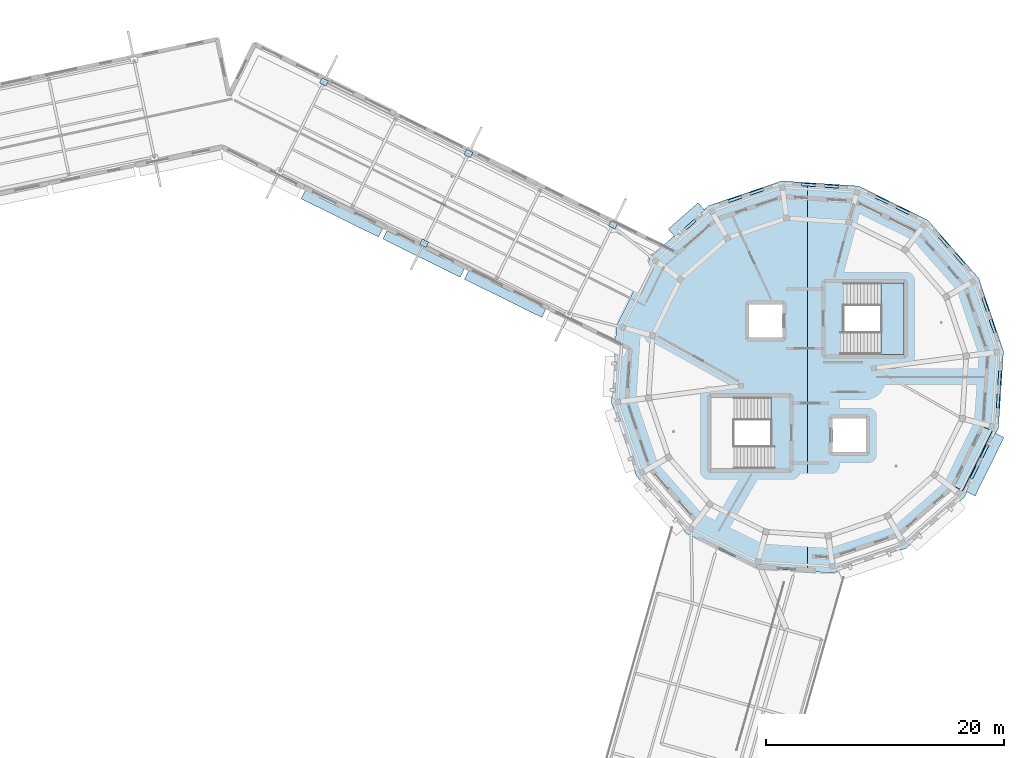
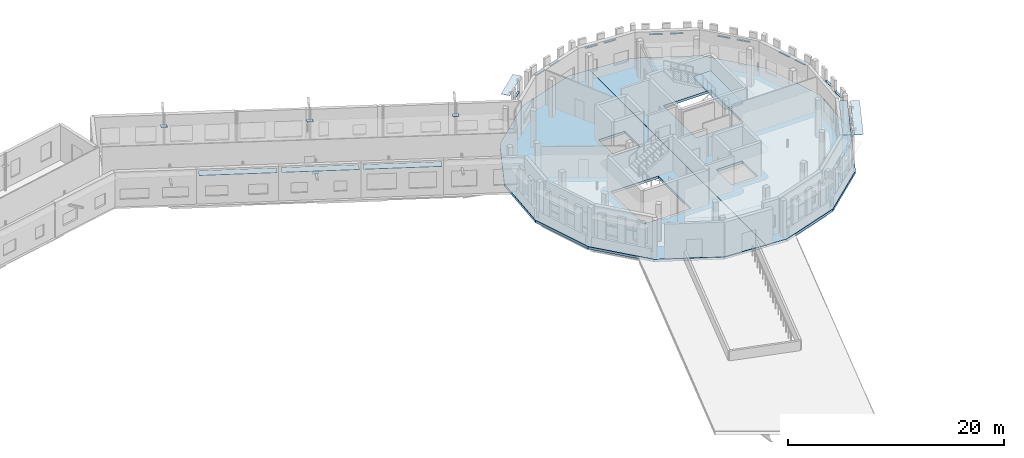
# One storey, part 28 of 68: 25 plates, 3 slabs, 1 element without a shape of its own.
"""IFC4 building model written with IfcOpenShell, lengths in metres."""

import ifcopenshell
import ifcopenshell.guid

model = None  # the IFC model being written
_history = None  # IfcOwnerHistory: only IFC2X3 demands one
_inside = {}  # id of a spatial element -> (the spatial element, [elements in it])
_under = {}  # id of a project, library or spatial element -> (it, [spatial elements below it])
_declared = {}  # id of a project -> (the project, [libraries it declares])
_typed = {}  # id of a type object -> (the type object, [elements of that type])
_made_of = {}  # id of a material, layer set ... -> (it, [elements and type objects made of it])


def new_model(schema):
    """Start an empty IFC model of exactly this schema.

    Asked for "IFC4X3", IfcOpenShell would pick the latest addendum, in which some entities
    have other attributes; the version numbers below select the first issue.
    IFC2X3 requires an IfcOwnerHistory on every rooted entity: one is made here for all.
    """
    global model, _history
    if schema == "IFC4X3":
        model = ifcopenshell.file(schema_version=(4, 3, 0, 0))
    else:
        model = ifcopenshell.file(schema=schema)
    _inside.clear()
    _under.clear()
    _declared.clear()
    _typed.clear()
    _made_of.clear()
    _history = None
    if model.schema == "IFC2X3":
        org = make("IfcOrganization", Name="unknown")
        user = make(
            "IfcPersonAndOrganization",
            ThePerson=make("IfcPerson", FamilyName="unknown"),
            TheOrganization=org,
        )
        app = make(
            "IfcApplication",
            ApplicationDeveloper=org,
            Version="unknown",
            ApplicationFullName="unknown",
            ApplicationIdentifier="unknown",
        )
        _history = make(
            "IfcOwnerHistory",
            OwningUser=user,
            OwningApplication=app,
            ChangeAction="ADDED",
            CreationDate=0,
        )
    return model


def make(cls, **values):
    """One entity of the class cls with the attributes given. An attribute that is None is left unset."""
    return model.create_entity(
        cls, **{name: value for name, value in values.items() if value is not None}
    )


def rooted(cls, **values):
    """An entity with a GlobalId (a new one), such as an element, a storey or a relation."""
    return make(cls, GlobalId=ifcopenshell.guid.new(), OwnerHistory=_history, **values)


def si_unit(unit_type, name, prefix=None):
    """IfcSIUnit, for example si_unit("LENGTHUNIT", "METRE", prefix="MILLI")."""
    return make("IfcSIUnit", UnitType=unit_type, Prefix=prefix, Name=name)


def assignment(units):
    """IfcUnitAssignment: the units of a project."""
    return None if units is None else make("IfcUnitAssignment", Units=units)


def point(xyz):
    """IfcCartesianPoint."""
    return None if xyz is None else make("IfcCartesianPoint", Coordinates=xyz)


def direction(xyz):
    """IfcDirection."""
    return None if xyz is None else make("IfcDirection", DirectionRatios=xyz)


def frame(location, z_axis=None, x_axis=None):
    """IfcAxis2Placement3D, a coordinate frame: its origin and axes. An axis left out is left unset."""
    return make(
        "IfcAxis2Placement3D",
        Location=point(location),
        Axis=direction(z_axis),
        RefDirection=direction(x_axis),
    )


def frame_2d(location, x_axis=None):
    """IfcAxis2Placement2D, a coordinate frame in the plane: its origin and x axis."""
    return make(
        "IfcAxis2Placement2D", Location=point(location), RefDirection=direction(x_axis)
    )


def origin():
    """The frame at (0, 0, 0) with its axes left unset."""
    return frame((0.0, 0.0, 0.0))


def origin_2d():
    """The frame at (0, 0) in the plane with its x axis left unset."""
    return frame_2d((0.0, 0.0))


def place(relative_to, where):
    """IfcLocalPlacement: puts the frame where relative to a parent placement (None: the world)."""
    return make(
        "IfcLocalPlacement", PlacementRelTo=relative_to, RelativePlacement=where
    )


def context(
    kind, dimensions, precision=None, world=None, true_north=None, identifier=None
):
    """IfcGeometricRepresentationContext, for example the 3D "Model" context."""
    return make(
        "IfcGeometricRepresentationContext",
        ContextIdentifier=identifier,
        ContextType=kind,
        CoordinateSpaceDimension=dimensions,
        Precision=precision,
        WorldCoordinateSystem=world,
        TrueNorth=true_north,
    )


def subcontext(parent, identifier, kind, view, scale=None):
    """IfcGeometricRepresentationSubContext, for example "Body" below "Model"."""
    return make(
        "IfcGeometricRepresentationSubContext",
        ContextIdentifier=identifier,
        ContextType=kind,
        ParentContext=parent,
        TargetScale=scale,
        TargetView=view,
    )


def project(units=None, contexts=None):
    """IfcProject with its units and contexts."""
    return rooted(
        "IfcProject",
        Name="project",
        RepresentationContexts=contexts,
        UnitsInContext=assignment(units),
    )


def spatial(cls, under=None, at=None, **own):
    """A site, building, storey or space (cls), placed at a placement, below another one or the project."""
    s = rooted(cls, ObjectPlacement=at, **own)
    if under is not None:
        _under.setdefault(under.id(), (under, []))[1].append(s)
    return s


def polyline(points):
    """IfcPolyline through the points."""
    return make("IfcPolyline", Points=[point(p) for p in points])


def profile(cls, at=None, kind="AREA", **sizes):
    """A parametric profile (cls). Its sizes go by their IFC names, for example OverallWidth=200.0."""
    return make(cls, ProfileType=kind, Position=at, **sizes)


def rectangle(**sizes):
    """IfcRectangleProfileDef."""
    return profile("IfcRectangleProfileDef", **sizes)


def outline(outer, holes=None, kind="AREA"):
    """IfcArbitraryClosedProfileDef: a profile drawn as a closed curve; with holes, ...WithVoids."""
    if holes is None:
        return make("IfcArbitraryClosedProfileDef", ProfileType=kind, OuterCurve=outer)
    return make(
        "IfcArbitraryProfileDefWithVoids",
        ProfileType=kind,
        OuterCurve=outer,
        InnerCurves=holes,
    )


def extrude(swept, where, along, depth):
    """IfcExtrudedAreaSolid: the profile swept, set in the frame where, extruded along a direction by depth."""
    return make(
        "IfcExtrudedAreaSolid",
        SweptArea=swept,
        Position=where,
        ExtrudedDirection=direction(along),
        Depth=depth,
    )


def shape(context_of_items, identifier, shape_type, items):
    """IfcShapeRepresentation: the items that make up one representation, for example the "Body"."""
    return make(
        "IfcShapeRepresentation",
        ContextOfItems=context_of_items,
        RepresentationIdentifier=identifier,
        RepresentationType=shape_type,
        Items=items,
    )


def material(Name=None, Category=None):
    """IfcMaterial."""
    return make("IfcMaterial", Name=Name, Category=Category)


def layer(
    of_material, thickness, ventilated=None, Name=None, Category=None, Priority=None
):
    """IfcMaterialLayer: one layer of a wall or slab, of a material (None: an air gap)."""
    return make(
        "IfcMaterialLayer",
        Material=of_material,
        LayerThickness=thickness,
        IsVentilated=ventilated,
        Name=Name,
        Category=Category,
        Priority=Priority,
    )


def layer_set(layers, Name=None):
    """IfcMaterialLayerSet."""
    return make("IfcMaterialLayerSet", MaterialLayers=layers, LayerSetName=Name)


def made_of(thing, what):
    """Note that an element or type object is made of a material, layer set ...; save() writes the relation."""
    if what is not None:
        _made_of.setdefault(what.id(), (what, []))[1].append(thing)
    return thing


def type_object(cls, material=None, **own):
    """A type object (cls), such as IfcWallType, which elements share."""
    return made_of(rooted(cls, **own), material)


def element(
    cls,
    number,
    at=None,
    inside=None,
    cuts=None,
    type_object=None,
    material=None,
    context=None,
    identifier="Body",
    shape_type=None,
    held_by="IfcProductDefinitionShape",
    body=None,
    shapes=None,
    **own,
):
    """One element of the class cls, such as IfcWall. Its Tag is "e" and its number.

    at: its placement. inside: the storey or other place that contains it. cuts: it is an
    opening in that element (IfcRelVoidsElement). A single representation is given by context,
    identifier, shape_type and body (its items); several are given by shapes. held_by: the class
    of the entity that holds the representations. save() writes the other relations.
    """
    e = rooted(cls, Tag="e%d" % number, ObjectPlacement=at, **own)
    if body is not None:
        shapes = [shape(context, identifier, shape_type, body)]
    if shapes is not None:
        e.Representation = make(held_by, Representations=shapes)
    if inside is not None:
        _inside.setdefault(inside.id(), (inside, []))[1].append(e)
    if cuts is not None:
        rooted(
            "IfcRelVoidsElement", RelatingBuildingElement=cuts, RelatedOpeningElement=e
        )
    if type_object is not None:
        _typed.setdefault(type_object.id(), (type_object, []))[1].append(e)
    return made_of(e, material)


def aggregate(whole, parts):
    """IfcRelAggregates: a whole, such as a stair, and the parts it consists of."""
    return rooted("IfcRelAggregates", RelatingObject=whole, RelatedObjects=parts)


def save(model, path):
    """Write the relations noted so far, then the file.

    IfcRelAggregates (storeys below a building ...), IfcRelContainedInSpatialStructure (elements
    in a storey), IfcRelDefinesByType, IfcRelAssociatesMaterial and IfcRelDeclares: one each for
    every whole, place, type object, material and project.
    """
    for whole, parts in _under.values():
        aggregate(whole, parts)
    for where, things in _inside.values():
        rooted(
            "IfcRelContainedInSpatialStructure",
            RelatedElements=things,
            RelatingStructure=where,
        )
    for kind, things in _typed.values():
        rooted("IfcRelDefinesByType", RelatedObjects=things, RelatingType=kind)
    for what, things in _made_of.values():
        rooted("IfcRelAssociatesMaterial", RelatedObjects=things, RelatingMaterial=what)
    for by, libraries in _declared.values():
        rooted("IfcRelDeclares", RelatingContext=by, RelatedDefinitions=libraries)
    model.write(path)


model = new_model("IFC4")

# Units and contexts
model_context = context("Model", 3, precision=1e-05, world=origin(), true_north=direction((0.0, 1.0)))
body_context = subcontext(model_context, "Body", "Model", "MODEL_VIEW")
ifc_project = project(units=[si_unit("LENGTHUNIT", "METRE"), si_unit("AREAUNIT", "SQUARE_METRE"), si_unit("VOLUMEUNIT", "CUBIC_METRE"), si_unit("PLANEANGLEUNIT", "RADIAN"), si_unit("MASSUNIT", "GRAM", prefix="KILO")], contexts=[model_context])

# Site, building, storey
site_placement = place(None, origin())
site = spatial("IfcSite", under=ifc_project, at=site_placement, CompositionType="ELEMENT")
building_placement = place(site_placement, origin())
building = spatial("IfcBuilding", under=site, at=building_placement, Name="Wrenclough Park School", CompositionType="ELEMENT")
storey_placement = place(building_placement, frame((0.0, 0.0, 12.60009765625)))
storey = spatial("IfcBuildingStorey", under=building, at=storey_placement, Name="L03", CompositionType="ELEMENT", Elevation=12.60009765625)

# Plates
ifc_material_1 = material(Name="Anodised architectural aluminium solar shading fin plate", Category="aluminium")
ifc_layer_1 = layer(ifc_material_1, 0.0380859375)
ifc_layer_set_1 = layer_set([ifc_layer_1], Name="Anodised architectural aluminium solar shading fin plate")
plate_type_1 = type_object("IfcPlateType", Name="ENV-PL-BSF", PredefinedType="SHEET", material=ifc_layer_set_1)
for number, where, z_axis, x_axis, name in (
    (1, (190.056396484375, 97.762939453125, 2.721923828125), (0.0, 0.0, 1.0), (-0.321426781293, 0.946934435041, 0.0), "D5 L03 open-bond brick screen tie band 0629"),
    (2, (189.436767578125, 99.588134765625, 2.721923828125), (0.0, 0.0, 1.0), (-0.321426781293, 0.946934435041, 0.0), "D5 L03 open-bond brick screen tie band 0630"),
):
    element("IfcPlate", number, at=place(storey_placement, frame(where, z_axis=z_axis, x_axis=x_axis)), inside=storey, type_object=plate_type_1, Name=name, PredefinedType="SHEET", context=body_context, shape_type="SweptSolid", body=[
        extrude(rectangle(XDim=1.217529296875, YDim=0.219970703125, at=origin_2d()), origin(), (0.0, 0.0, 1.0), 0.0419921875),
    ])
for number, where, z_axis, x_axis, name in (
    (3, (187.240966796875, 103.391357421875, 2.721923828125), (0.0, 0.0, 1.0), (-0.659346589381, 0.751839128452, 0.0), "D5 L03 open-bond brick screen tie band 0631"),
    (4, (185.97021484375, 104.840576171875, 2.721923828125), (0.0, 0.0, 1.0), (-0.659346589381, 0.751839128452, 0.0), "D5 L03 open-bond brick screen tie band 0632"),
):
    element("IfcPlate", number, at=place(storey_placement, frame(where, z_axis=z_axis, x_axis=x_axis)), inside=storey, type_object=plate_type_1, Name=name, PredefinedType="SHEET", context=body_context, shape_type="SweptSolid", body=[
        extrude(rectangle(XDim=1.21728515625, YDim=0.219970703125, at=origin_2d()), origin(), (0.0, 0.0, 1.0), 0.0419921875),
    ])
for number, where, z_axis, x_axis, name in (
    (5, (182.486083984375, 107.514404296875, 2.721923828125), (0.0, 0.0, 1.0), (-0.896872655932, 0.442288863799, 0.0), "D5 L03 open-bond brick screen tie band 0633"),
    (6, (180.757080078125, 108.36669921875, 2.721923828125), (0.0, 0.0, 1.0), (-0.896872655932, 0.442288863799, 0.0), "D5 L03 open-bond brick screen tie band 0634"),
):
    element("IfcPlate", number, at=place(storey_placement, frame(where, z_axis=z_axis, x_axis=x_axis)), inside=storey, type_object=plate_type_1, Name=name, PredefinedType="SHEET", context=body_context, shape_type="SweptSolid", body=[
        extrude(rectangle(XDim=1.217529296875, YDim=0.219970703125, at=origin_2d()), origin(), (0.0, 0.0, 1.0), 0.0419921875),
    ])
for number, where, z_axis, x_axis, name in (
    (7, (176.5146484375, 109.503662109375, 2.721923828125), (0.0, 0.0, 1.0), (-0.997858762746, 0.065405577822, 0.0), "D5 L03 open-bond brick screen tie band 0635"),
    (8, (174.59130859375, 109.629638671875, 2.721923828125), (0.0, 0.0, 1.0), (-0.997858762746, 0.065405577822, 0.0), "D5 L03 open-bond brick screen tie band 0636"),
):
    element("IfcPlate", number, at=place(storey_placement, frame(where, z_axis=z_axis, x_axis=x_axis)), inside=storey, type_object=plate_type_1, Name=name, PredefinedType="SHEET", context=body_context, shape_type="SweptSolid", body=[
        extrude(rectangle(XDim=1.21728515625, YDim=0.219970703125, at=origin_2d()), origin(), (0.0, 0.0, 1.0), 0.0419921875),
    ])
for number, where, z_axis, x_axis, name in (
    (9, (170.237060546875, 109.056396484375, 2.721923828125), (0.0, 0.0, 1.0), (-0.946934435041, -0.321426781293, 0.0), "D5 L03 open-bond brick screen tie band 0637"),
    (10, (168.411865234375, 108.436767578125, 2.721923828125), (0.0, 0.0, 1.0), (-0.946934435041, -0.321426781293, 0.0), "D5 L03 open-bond brick screen tie band 0638"),
):
    element("IfcPlate", number, at=place(storey_placement, frame(where, z_axis=z_axis, x_axis=x_axis)), inside=storey, type_object=plate_type_1, Name=name, PredefinedType="SHEET", context=body_context, shape_type="SweptSolid", body=[
        extrude(rectangle(XDim=1.217529296875, YDim=0.219970703125, at=origin_2d()), origin(), (0.0, 0.0, 1.0), 0.0419921875),
    ])
plate_1_placement = place(storey_placement, frame((164.689697265625, 106.31201171875, 2.721923828125), z_axis=(0.0, 0.0, 1.0), x_axis=(-0.751840843142, -0.659344634151, 0.0)))
element("IfcPlate", 11, at=plate_1_placement, inside=storey, type_object=plate_type_1, Name="D5 L03 open-bond brick screen tie band 0639", PredefinedType="SHEET", context=body_context, shape_type="SweptSolid", body=[
    extrude(rectangle(XDim=1.109619140625, YDim=0.219970703125, at=origin_2d()), origin(), (0.0, 0.0, 1.0), 0.0419921875),
])
plate_2_placement = place(storey_placement, frame((164.348388671875, 106.701171875, 3.700927734375), z_axis=(0.0, 0.0, 1.0), x_axis=(-0.751840843142, -0.659344634151, 0.0)))
element("IfcPlate", 12, at=plate_2_placement, inside=storey, type_object=plate_type_1, Name="D5 L03 sun-side projecting brise-soleil blade 0112", PredefinedType="SHEET", context=body_context, shape_type="SweptSolid", body=[
    extrude(rectangle(XDim=3.339111328125, YDim=0.85009765625, at=origin_2d()), origin(), (0.0, 0.0, 1.0), 0.0380859375),
])
for number, where, z_axis, x_axis, name in (
    (13, (188.514404296875, 85.513916015625, 2.721923828125), (0.0, 0.0, 1.0), (0.442288863799, 0.896872655932, 0.0), "D5 L03 open-bond brick screen tie band 0649"),
    (14, (189.36669921875, 87.242919921875, 2.721923828125), (0.0, 0.0, 1.0), (0.442288863799, 0.896872655932, 0.0), "D5 L03 open-bond brick screen tie band 0650"),
):
    element("IfcPlate", number, at=place(storey_placement, frame(where, z_axis=z_axis, x_axis=x_axis)), inside=storey, type_object=plate_type_1, Name=name, PredefinedType="SHEET", context=body_context, shape_type="SweptSolid", body=[
        extrude(rectangle(XDim=1.217529296875, YDim=0.219970703125, at=origin_2d()), origin(), (0.0, 0.0, 1.0), 0.0419921875),
    ])
plate_3_placement = place(storey_placement, frame((189.40478515625, 86.149658203125, 3.700927734375), z_axis=(0.0, 0.0, 1.0), x_axis=(0.442288863799, 0.896872655932, 0.0)))
element("IfcPlate", 15, at=plate_3_placement, inside=storey, type_object=plate_type_1, Name="D5 L03 sun-side projecting brise-soleil blade 0118", PredefinedType="SHEET", context=body_context, shape_type="SweptSolid", body=[
    extrude(rectangle(XDim=5.48291015625, YDim=0.85009765625, at=origin_2d()), origin(), (0.0, 0.0, 1.0), 0.0380859375),
])
for number, where, z_axis, x_axis, name in (
    (16, (190.50341796875, 91.4853515625, 2.721923828125), (0.0, 0.0, 1.0), (0.065405577822, 0.997858762746, 0.0), "D5 L03 open-bond brick screen tie band 0651"),
    (17, (190.629638671875, 93.40869140625, 2.721923828125), (0.0, 0.0, 1.0), (0.065405577822, 0.997858762746, 0.0), "D5 L03 open-bond brick screen tie band 0652"),
):
    element("IfcPlate", number, at=place(storey_placement, frame(where, z_axis=z_axis, x_axis=x_axis)), inside=storey, type_object=plate_type_1, Name=name, PredefinedType="SHEET", context=body_context, shape_type="SweptSolid", body=[
        extrude(rectangle(XDim=1.21728515625, YDim=0.219970703125, at=origin_2d()), origin(), (0.0, 0.0, 1.0), 0.0419921875),
    ])
plate_4_placement = place(storey_placement, frame((149.131103515625, 100.461181640625, 3.720947265625), z_axis=(0.0, 0.0, 1.0), x_axis=(-0.89626516888, 0.443518598316, 0.0)))
element("IfcPlate", 18, at=plate_4_placement, inside=storey, type_object=plate_type_1, Name="L03 link wing sun-side brise-soleil blade 0208", PredefinedType="SHEET", context=body_context, shape_type="SweptSolid", body=[
    extrude(rectangle(XDim=7.23974609375, YDim=0.800048828125, at=origin_2d()), origin(), (0.0, 0.0, 1.0), 0.0380859375),
])
plate_5_placement = place(storey_placement, frame((142.278076171875, 103.83837890625, 3.720947265625), z_axis=(0.0, 0.0, 1.0), x_axis=(-0.896272946619, 0.443502880666, 0.0)))
element("IfcPlate", 19, at=plate_5_placement, inside=storey, type_object=plate_type_1, Name="L03 link wing sun-side brise-soleil blade 0209", PredefinedType="SHEET", context=body_context, shape_type="SweptSolid", body=[
    extrude(rectangle(XDim=7.239990234375, YDim=0.800048828125, at=origin_2d()), origin(), (0.0, 0.0, 1.0), 0.0380859375),
])
plate_6_placement = place(storey_placement, frame((135.424072265625, 107.213134765625, 3.720947265625), z_axis=(0.0, 0.0, 1.0), x_axis=(-0.89626516888, 0.443518598316, 0.0)))
element("IfcPlate", 20, at=plate_6_placement, inside=storey, type_object=plate_type_1, Name="L03 link wing sun-side brise-soleil blade 0210", PredefinedType="SHEET", context=body_context, shape_type="SweptSolid", body=[
    extrude(rectangle(XDim=7.23974609375, YDim=0.800048828125, at=origin_2d()), origin(), (0.0, 0.0, 1.0), 0.0380859375),
])
plate_7_placement = place(storey_placement, frame((188.41650390625, 86.63720703125, 3.720947265625), z_axis=(0.0, 0.0, 1.0), x_axis=(-0.442308565335, -0.896862939936, 0.0)))
element("IfcPlate", 21, at=plate_7_placement, inside=storey, type_object=plate_type_1, Name="L03 link wing sun-side brise-soleil blade 0222", PredefinedType="SHEET", context=body_context, shape_type="SweptSolid", body=[
    extrude(rectangle(XDim=5.561279296875, YDim=0.800048828125, at=origin_2d()), origin(), (0.0, 0.0, 1.0), 0.0380859375),
])

# Stair, slab
ifc_material_2 = material(Name="Precast concrete C40/50", Category="concrete")
stair_type = type_object("IfcStairType", Name="INT-ST-190-42", PredefinedType="HALF_TURN_STAIR", material=ifc_material_2)
stair_placement = place(storey_placement, origin())
stair = element("IfcStair", 22, at=stair_placement, inside=storey, type_object=stair_type, Name="L03 escape stair ST-06", PredefinedType="HALF_TURN_STAIR")
ifc_layer_2 = layer(ifc_material_2, 0.195068359375)
ifc_layer_set_2 = layer_set([ifc_layer_2], Name="Precast concrete C40/50")
slab_type_1 = type_object("IfcSlabType", Name="INT-SL-LAND195", PredefinedType="LANDING", material=ifc_layer_set_2)
slab_1_placement = place(storey_placement, frame((0.0, 0.0, 1.989013671875)))
slab_1 = element("IfcSlab", 23, at=slab_1_placement, type_object=slab_type_1, Name="ST-06 landing 1", PredefinedType="LANDING", context=body_context, shape_type="SweptSolid", body=[
    extrude(outline(polyline([(180.677001953125, 95.39990234375), (182.60009765625, 95.39990234375), (182.60009765625, 101.39990234375), (180.677001953125, 101.39990234375), (180.677001953125, 95.39990234375)])), origin(), (0.0, 0.0, 1.0), 0.19482421875),
])
aggregate(stair, [slab_1])

# Plates
ifc_material_3 = material(Name="Structural steel S355", Category="steel")
ifc_layer_3 = layer(ifc_material_3, 0.028076171875)
ifc_layer_set_3 = layer_set([ifc_layer_3], Name="Structural steel S355")
plate_type_2 = type_object("IfcPlateType", Name="STR-PL-KN3", PredefinedType="USERDEFINED", material=ifc_layer_set_3)
for number, where, z_axis, x_axis, name in (
    (24, (133.924560546875, 118.26318359375, 2.73583984375), (0.0, 0.0, 1.0), (0.896267529063, -0.443513828811, 0.0), "W45 eave knee-brace gusset plate 15"),
    (25, (146.049560546875, 112.26318359375, 2.73583984375), (0.0, 0.0, 1.0), (0.896267529063, -0.443513828811, 0.0), "W45 eave knee-brace gusset plate 17"),
    (26, (142.325439453125, 104.73681640625, 2.73583984375), (0.0, 0.0, 1.0), (0.896267529063, -0.443513828811, 0.0), "W45 eave knee-brace gusset plate 18"),
    (27, (158.174560546875, 106.26318359375, 2.73583984375), (0.0, 0.0, 1.0), (0.896267529063, -0.443513828811, 0.0), "W45 eave knee-brace gusset plate 19"),
):
    element("IfcPlate", number, at=place(storey_placement, frame(where, z_axis=z_axis, x_axis=x_axis)), inside=storey, type_object=plate_type_2, Name=name, ObjectType="GUSSET PLATE", PredefinedType="USERDEFINED", context=body_context, shape_type="SweptSolid", body=[
        extrude(rectangle(XDim=0.60009765625, YDim=0.5, at=origin_2d()), origin(), (0.0, 0.0, 1.0), 0.028076171875),
    ])

# Slabs
ifc_material_4 = material(Name="Concrete C35/45", Category="concrete")
ifc_layer_4 = layer(ifc_material_4, 0.280029296875)
ifc_layer_set_4 = layer_set([ifc_layer_4], Name="Concrete C35/45")
slab_type_2 = type_object("IfcSlabType", Name="STR-SL-FL280", PredefinedType="FLOOR", material=ifc_layer_set_4)
slab_2_placement = place(storey_placement, frame((0.0, 0.0, -0.280029296875)))
element("IfcSlab", 28, at=slab_2_placement, inside=storey, type_object=slab_type_2, Name="D5 L03 structural slab SLAB-D5-L03-W", PredefinedType="FLOOR", context=body_context, shape_type="SweptSolid", body=[
    extrude(outline(polyline([(170.20361328125, 77.465576171875), (174.493896484375, 77.184326171875), (174.493896484375, 109.81640625), (172.333251953125, 109.9580078125), (166.199951171875, 107.8759765625), (161.330322265625, 103.60546875), (158.465576171875, 97.79638671875), (158.0419921875, 91.333251953125), (160.1240234375, 85.199951171875), (164.39453125, 80.330322265625), (170.20361328125, 77.465576171875)]), holes=[polyline([(166.39990234375, 85.800048828125), (171.451904296875, 85.800048828125), (171.451904296875, 91.800048828125), (166.39990234375, 91.800048828125), (166.39990234375, 85.800048828125)]), polyline([(169.60009765625, 96.800048828125), (172.39990234375, 96.800048828125), (172.39990234375, 99.60009765625), (169.60009765625, 99.60009765625), (169.60009765625, 96.800048828125)])]), origin(), (0.0, 0.0, 1.0), 0.280029296875),
])
slab_3_placement = place(storey_placement, frame((0.0, 0.0, -0.280029296875)))
element("IfcSlab", 29, at=slab_3_placement, inside=storey, type_object=slab_type_2, Name="D5 L03 structural slab SLAB-D5-L03-E", PredefinedType="FLOOR", context=body_context, shape_type="SweptSolid", body=[
    extrude(outline(polyline([(178.79638671875, 109.534423828125), (174.506103515625, 109.815673828125), (174.506103515625, 77.18359375), (176.666748046875, 77.0419921875), (182.800048828125, 79.1240234375), (187.669677734375, 83.39453125), (190.534423828125, 89.20361328125), (190.9580078125, 95.666748046875), (188.8759765625, 101.800048828125), (184.60546875, 106.669677734375), (178.79638671875, 109.534423828125)]), holes=[polyline([(176.60009765625, 87.199951171875), (179.39990234375, 87.199951171875), (179.39990234375, 90.0), (176.60009765625, 90.0), (176.60009765625, 87.199951171875)]), polyline([(177.548095703125, 95.39990234375), (182.60009765625, 95.39990234375), (182.60009765625, 101.39990234375), (177.548095703125, 101.39990234375), (177.548095703125, 95.39990234375)])]), origin(), (0.0, 0.0, 1.0), 0.280029296875),
])

save(model, "model.ifc")
